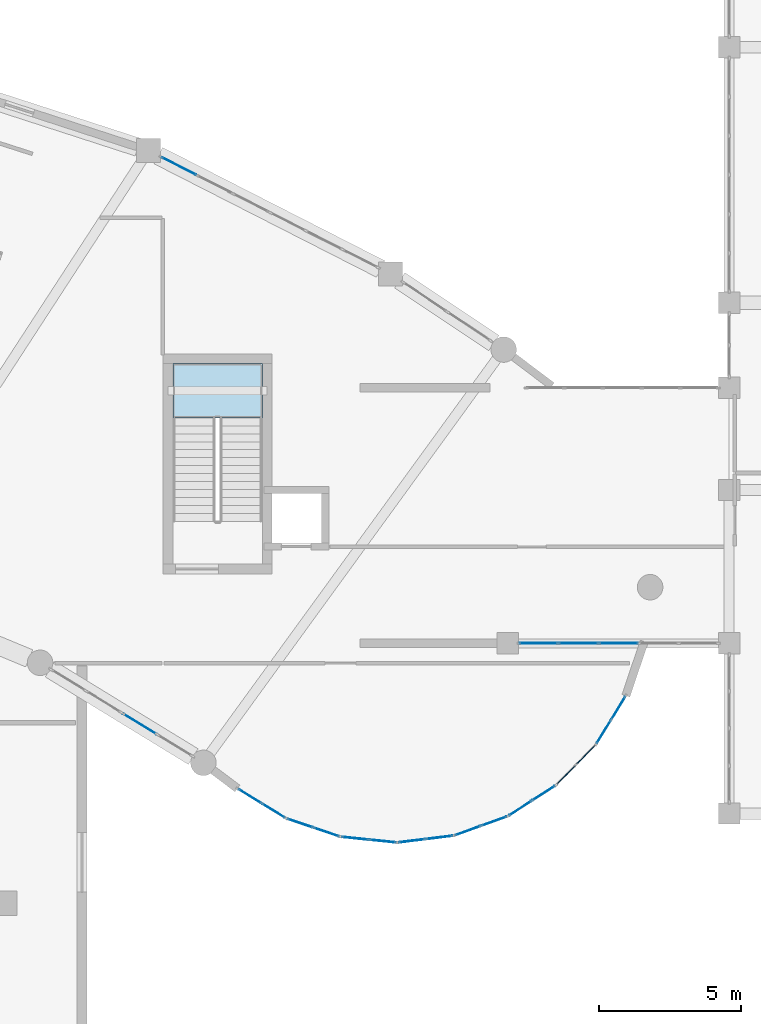
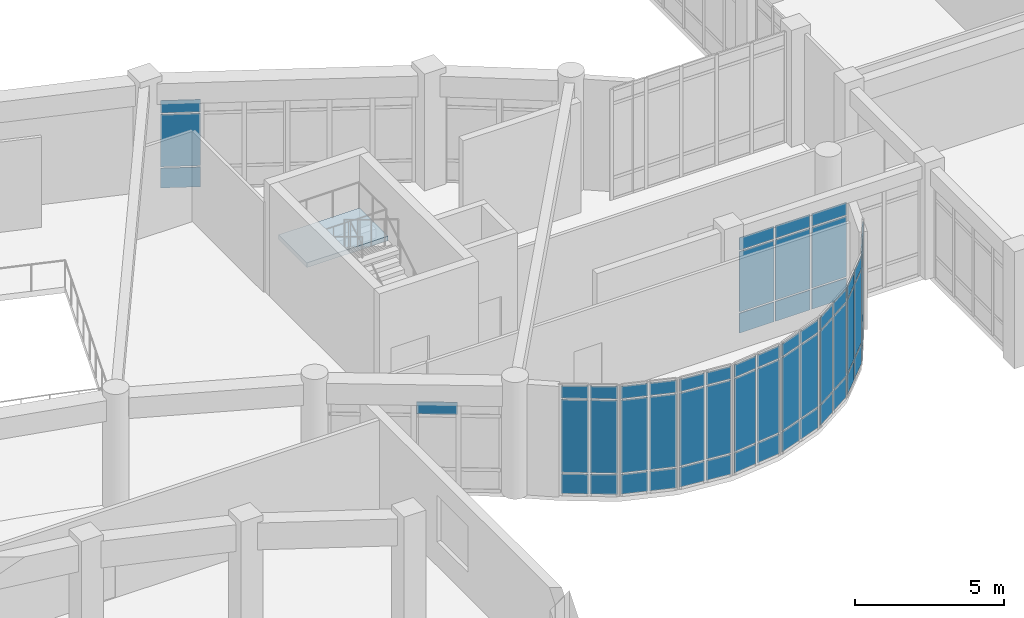
# One storey, part 42 of 68: 61 plates, 1 slab, 12 elements without a shape of their own.
"""IFC4 building model written with IfcOpenShell, lengths in metres."""

from ifc_helpers import new_model, si_unit, direction, frame, origin, origin_2d, place, context, subcontext, project, spatial, polyline, rectangle, outline, extrude, material, layer, layer_set, type_object, element, aggregate, save


model = new_model("IFC4")

# Units and contexts
model_context = context("Model", 3, precision=1e-05, world=origin(), true_north=direction((0.0, 1.0)))
body_context = subcontext(model_context, "Body", "Model", "MODEL_VIEW")
ifc_project = project(units=[si_unit("LENGTHUNIT", "METRE"), si_unit("AREAUNIT", "SQUARE_METRE"), si_unit("VOLUMEUNIT", "CUBIC_METRE"), si_unit("PLANEANGLEUNIT", "RADIAN"), si_unit("MASSUNIT", "GRAM", prefix="KILO")], contexts=[model_context])

# Site, building, storey
site_placement = place(None, origin())
site = spatial("IfcSite", under=ifc_project, at=site_placement, CompositionType="ELEMENT")
building_placement = place(site_placement, origin())
building = spatial("IfcBuilding", under=site, at=building_placement, Name="Miralva Faculty of Natural Sciences", CompositionType="ELEMENT")
storey_placement = place(building_placement, frame((0.0, 0.0, 5.39990234375)))
storey = spatial("IfcBuildingStorey", under=building, at=storey_placement, Name="L01", CompositionType="ELEMENT", Elevation=5.39990234375)

# Curtain wall, plate
ifc_material_1 = material(Name="Laminated solar-control glass", Category="glass")
ifc_layer_1 = layer(ifc_material_1, 0.179931640625, Name="CW-ARC-L01")
ifc_layer_set_1 = layer_set([ifc_layer_1], Name="Laminated solar-control glass")
curtain_wall_type_1 = type_object("IfcCurtainWallType", Name="CW-ARC-L01", PredefinedType="USERDEFINED", material=ifc_layer_set_1)
curtain_wall_1_placement = place(storey_placement, origin())
curtain_wall_1 = element("IfcCurtainWall", 1, at=curtain_wall_1_placement, inside=storey, type_object=curtain_wall_type_1, Name="Curtain wall CW-02 L01-30", ObjectType="UNITISED CURTAIN WALL", PredefinedType="USERDEFINED")
ifc_layer_2 = layer(ifc_material_1, 0.028076171875, Name="PNL-P01")
ifc_layer_set_2 = layer_set([ifc_layer_2], Name="Laminated solar-control glass")
plate_type = type_object("IfcPlateType", Name="PNL-P01", PredefinedType="CURTAIN_PANEL", material=ifc_layer_set_2)
plate_1_placement = place(storey_placement, frame((113.037353515625, 15.15869140625, 3.1376953125), z_axis=(0.0, 0.0, 1.0), x_axis=(0.852646014098, -0.522489018681, 0.0)))
plate_1 = element("IfcPlate", 2, at=plate_1_placement, type_object=plate_type, Name="CW-02 panel 1.3", PredefinedType="CURTAIN_PANEL", context=body_context, shape_type="SweptSolid", body=[
    extrude(rectangle(XDim=1.37939453125, YDim=0.028076171875, at=origin_2d()), origin(), (0.0, 0.0, 1.0), 0.50244140625),
])
aggregate(curtain_wall_1, [plate_1])

# Curtain wall, plates
curtain_wall_2_placement = place(storey_placement, origin())
curtain_wall_2 = element("IfcCurtainWall", 3, at=curtain_wall_2_placement, inside=storey, type_object=curtain_wall_type_1, Name="Curtain wall CW-02 L01-43", ObjectType="UNITISED CURTAIN WALL", PredefinedType="USERDEFINED")
plate_2_placement = place(storey_placement, frame((114.4140625, 34.811279296875, 0.06005859375), z_axis=(0.0, 0.0, 1.0), x_axis=(0.89101812581, -0.453967729556, 0.0)))
plate_2 = element("IfcPlate", 4, at=plate_2_placement, type_object=plate_type, Name="CW-02 panel 1.1", PredefinedType="CURTAIN_PANEL", context=body_context, shape_type="SweptSolid", body=[
    extrude(rectangle(XDim=1.3427734375, YDim=0.028076171875, at=origin_2d()), origin(), (0.0, 0.0, 1.0), 0.81005859375),
])
plate_3_placement = place(storey_placement, frame((114.4140625, 34.811279296875, 0.93017578125), z_axis=(0.0, 0.0, 1.0), x_axis=(0.89101812581, -0.453967729556, 0.0)))
plate_3 = element("IfcPlate", 5, at=plate_3_placement, type_object=plate_type, Name="CW-02 panel 1.2", PredefinedType="CURTAIN_PANEL", context=body_context, shape_type="SweptSolid", body=[
    extrude(rectangle(XDim=1.3427734375, YDim=0.028076171875, at=origin_2d()), origin(), (0.0, 0.0, 1.0), 2.14501953125),
])
plate_4_placement = place(storey_placement, frame((114.4140625, 34.811279296875, 3.13525390625), z_axis=(0.0, 0.0, 1.0), x_axis=(0.89101812581, -0.453967729556, 0.0)))
plate_4 = element("IfcPlate", 6, at=plate_4_placement, type_object=plate_type, Name="CW-02 panel 1.3", PredefinedType="CURTAIN_PANEL", context=body_context, shape_type="SweptSolid", body=[
    extrude(rectangle(XDim=1.3427734375, YDim=0.028076171875, at=origin_2d()), origin(), (0.0, 0.0, 1.0), 0.510009765625),
])
aggregate(curtain_wall_2, [plate_2, plate_3, plate_4])

ifc_layer_3 = layer(ifc_material_1, 0.179931640625, Name="CW-RND-L01")
ifc_layer_set_3 = layer_set([ifc_layer_3], Name="Laminated solar-control glass")
curtain_wall_type_2 = type_object("IfcCurtainWallType", Name="CW-RND-L01", PredefinedType="USERDEFINED", material=ifc_layer_set_3)
curtain_wall_3_placement = place(storey_placement, origin())
curtain_wall_3 = element("IfcCurtainWall", 7, at=curtain_wall_3_placement, inside=storey, type_object=curtain_wall_type_2, Name="Curtain wall CW-05 L01-55", ObjectType="UNITISED CURTAIN WALL", PredefinedType="USERDEFINED")
plate_5_placement = place(storey_placement, frame((129.37939453125, 14.8798828125, 0.06005859375), z_axis=(0.0, 0.0, 1.0), x_axis=(0.523550543884, 0.851994617353, 0.0)))
plate_5 = element("IfcPlate", 8, at=plate_5_placement, type_object=plate_type, Name="CW-05 panel 1.1", PredefinedType="CURTAIN_PANEL", context=body_context, shape_type="SweptSolid", body=[
    extrude(rectangle(XDim=0.91259765625, YDim=0.028076171875, at=origin_2d()), origin(), (0.0, 0.0, 1.0), 0.81005859375),
])
plate_6_placement = place(storey_placement, frame((129.37939453125, 14.8798828125, 0.93017578125), z_axis=(0.0, 0.0, 1.0), x_axis=(0.523550543884, 0.851994617353, 0.0)))
plate_6 = element("IfcPlate", 9, at=plate_6_placement, type_object=plate_type, Name="CW-05 panel 1.2", PredefinedType="CURTAIN_PANEL", context=body_context, shape_type="SweptSolid", body=[
    extrude(rectangle(XDim=0.91259765625, YDim=0.028076171875, at=origin_2d()), origin(), (0.0, 0.0, 1.0), 2.989990234375),
])
plate_7_placement = place(storey_placement, frame((129.37939453125, 14.8798828125, 3.97998046875), z_axis=(0.0, 0.0, 1.0), x_axis=(0.523550543884, 0.851994617353, 0.0)))
plate_7 = element("IfcPlate", 10, at=plate_7_placement, type_object=plate_type, Name="CW-05 panel 1.3", PredefinedType="CURTAIN_PANEL", context=body_context, shape_type="SweptSolid", body=[
    extrude(rectangle(XDim=0.91259765625, YDim=0.028076171875, at=origin_2d()), origin(), (0.0, 0.0, 1.0), 0.510009765625),
])
plate_8_placement = place(storey_placement, frame((129.891357421875, 15.712890625, 0.06005859375), z_axis=(0.0, 0.0, 1.0), x_axis=(0.523550543884, 0.851994617353, 0.0)))
plate_8 = element("IfcPlate", 11, at=plate_8_placement, type_object=plate_type, Name="CW-05 panel 2.1", PredefinedType="CURTAIN_PANEL", context=body_context, shape_type="SweptSolid", body=[
    extrude(rectangle(XDim=0.91259765625, YDim=0.028076171875, at=origin_2d()), origin(), (0.0, 0.0, 1.0), 0.81005859375),
])
plate_9_placement = place(storey_placement, frame((129.891357421875, 15.712890625, 0.93017578125), z_axis=(0.0, 0.0, 1.0), x_axis=(0.523550543884, 0.851994617353, 0.0)))
plate_9 = element("IfcPlate", 12, at=plate_9_placement, type_object=plate_type, Name="CW-05 panel 2.2", PredefinedType="CURTAIN_PANEL", context=body_context, shape_type="SweptSolid", body=[
    extrude(rectangle(XDim=0.91259765625, YDim=0.028076171875, at=origin_2d()), origin(), (0.0, 0.0, 1.0), 2.989990234375),
])
plate_10_placement = place(storey_placement, frame((129.891357421875, 15.712890625, 3.97998046875), z_axis=(0.0, 0.0, 1.0), x_axis=(0.523550543884, 0.851994617353, 0.0)))
plate_10 = element("IfcPlate", 13, at=plate_10_placement, type_object=plate_type, Name="CW-05 panel 2.3", PredefinedType="CURTAIN_PANEL", context=body_context, shape_type="SweptSolid", body=[
    extrude(rectangle(XDim=0.91259765625, YDim=0.028076171875, at=origin_2d()), origin(), (0.0, 0.0, 1.0), 0.510009765625),
])
aggregate(curtain_wall_3, [plate_5, plate_6, plate_7, plate_8, plate_9, plate_10])

curtain_wall_4_placement = place(storey_placement, origin())
curtain_wall_4 = element("IfcCurtainWall", 14, at=curtain_wall_4_placement, inside=storey, type_object=curtain_wall_type_2, Name="Curtain wall CW-05 L01-56", ObjectType="UNITISED CURTAIN WALL", PredefinedType="USERDEFINED")
plate_11_placement = place(storey_placement, frame((128.060546875, 13.36865234375, 0.06005859375), z_axis=(0.0, 0.0, 1.0), x_axis=(0.700018458929, 0.714124749017, 0.0)))
plate_11 = element("IfcPlate", 15, at=plate_11_placement, type_object=plate_type, Name="CW-05 panel 1.1", PredefinedType="CURTAIN_PANEL", context=body_context, shape_type="SweptSolid", body=[
    extrude(rectangle(XDim=0.91259765625, YDim=0.028076171875, at=origin_2d()), origin(), (0.0, 0.0, 1.0), 0.81005859375),
])
plate_12_placement = place(storey_placement, frame((128.060546875, 13.36865234375, 0.93017578125), z_axis=(0.0, 0.0, 1.0), x_axis=(0.700018458929, 0.714124749017, 0.0)))
plate_12 = element("IfcPlate", 16, at=plate_12_placement, type_object=plate_type, Name="CW-05 panel 1.2", PredefinedType="CURTAIN_PANEL", context=body_context, shape_type="SweptSolid", body=[
    extrude(rectangle(XDim=0.91259765625, YDim=0.028076171875, at=origin_2d()), origin(), (0.0, 0.0, 1.0), 2.989990234375),
])
plate_13_placement = place(storey_placement, frame((128.060546875, 13.36865234375, 3.97998046875), z_axis=(0.0, 0.0, 1.0), x_axis=(0.700018458929, 0.714124749017, 0.0)))
plate_13 = element("IfcPlate", 17, at=plate_13_placement, type_object=plate_type, Name="CW-05 panel 1.3", PredefinedType="CURTAIN_PANEL", context=body_context, shape_type="SweptSolid", body=[
    extrude(rectangle(XDim=0.91259765625, YDim=0.028076171875, at=origin_2d()), origin(), (0.0, 0.0, 1.0), 0.510009765625),
])
plate_14_placement = place(storey_placement, frame((128.7451171875, 14.06689453125, 0.06005859375), z_axis=(0.0, 0.0, 1.0), x_axis=(0.700018458929, 0.714124749017, 0.0)))
plate_14 = element("IfcPlate", 18, at=plate_14_placement, type_object=plate_type, Name="CW-05 panel 2.1", PredefinedType="CURTAIN_PANEL", context=body_context, shape_type="SweptSolid", body=[
    extrude(rectangle(XDim=0.91259765625, YDim=0.028076171875, at=origin_2d()), origin(), (0.0, 0.0, 1.0), 0.81005859375),
])
plate_15_placement = place(storey_placement, frame((128.7451171875, 14.06689453125, 0.93017578125), z_axis=(0.0, 0.0, 1.0), x_axis=(0.700018458929, 0.714124749017, 0.0)))
plate_15 = element("IfcPlate", 19, at=plate_15_placement, type_object=plate_type, Name="CW-05 panel 2.2", PredefinedType="CURTAIN_PANEL", context=body_context, shape_type="SweptSolid", body=[
    extrude(rectangle(XDim=0.91259765625, YDim=0.028076171875, at=origin_2d()), origin(), (0.0, 0.0, 1.0), 2.989990234375),
])
plate_16_placement = place(storey_placement, frame((128.7451171875, 14.06689453125, 3.97998046875), z_axis=(0.0, 0.0, 1.0), x_axis=(0.700018458929, 0.714124749017, 0.0)))
plate_16 = element("IfcPlate", 20, at=plate_16_placement, type_object=plate_type, Name="CW-05 panel 2.3", PredefinedType="CURTAIN_PANEL", context=body_context, shape_type="SweptSolid", body=[
    extrude(rectangle(XDim=0.91259765625, YDim=0.028076171875, at=origin_2d()), origin(), (0.0, 0.0, 1.0), 0.510009765625),
])
aggregate(curtain_wall_4, [plate_11, plate_12, plate_13, plate_14, plate_15, plate_16])

curtain_wall_5_placement = place(storey_placement, origin())
curtain_wall_5 = element("IfcCurtainWall", 21, at=curtain_wall_5_placement, inside=storey, type_object=curtain_wall_type_2, Name="Curtain wall CW-05 L01-57", ObjectType="UNITISED CURTAIN WALL", PredefinedType="USERDEFINED")
plate_17_placement = place(storey_placement, frame((126.438720703125, 12.18896484375, 0.06005859375), z_axis=(0.0, 0.0, 1.0), x_axis=(0.841379438185, 0.540444854725, 0.0)))
plate_17 = element("IfcPlate", 22, at=plate_17_placement, type_object=plate_type, Name="CW-05 panel 1.1", PredefinedType="CURTAIN_PANEL", context=body_context, shape_type="SweptSolid", body=[
    extrude(rectangle(XDim=0.91259765625, YDim=0.028076171875, at=origin_2d()), origin(), (0.0, 0.0, 1.0), 0.81005859375),
])
plate_18_placement = place(storey_placement, frame((126.438720703125, 12.18896484375, 0.93017578125), z_axis=(0.0, 0.0, 1.0), x_axis=(0.841379438185, 0.540444854725, 0.0)))
plate_18 = element("IfcPlate", 23, at=plate_18_placement, type_object=plate_type, Name="CW-05 panel 1.2", PredefinedType="CURTAIN_PANEL", context=body_context, shape_type="SweptSolid", body=[
    extrude(rectangle(XDim=0.91259765625, YDim=0.028076171875, at=origin_2d()), origin(), (0.0, 0.0, 1.0), 2.989990234375),
])
plate_19_placement = place(storey_placement, frame((126.438720703125, 12.18896484375, 3.97998046875), z_axis=(0.0, 0.0, 1.0), x_axis=(0.841379438185, 0.540444854725, 0.0)))
plate_19 = element("IfcPlate", 24, at=plate_19_placement, type_object=plate_type, Name="CW-05 panel 1.3", PredefinedType="CURTAIN_PANEL", context=body_context, shape_type="SweptSolid", body=[
    extrude(rectangle(XDim=0.91259765625, YDim=0.028076171875, at=origin_2d()), origin(), (0.0, 0.0, 1.0), 0.510009765625),
])
plate_20_placement = place(storey_placement, frame((127.26123046875, 12.71728515625, 0.06005859375), z_axis=(0.0, 0.0, 1.0), x_axis=(0.841379438185, 0.540444854725, 0.0)))
plate_20 = element("IfcPlate", 25, at=plate_20_placement, type_object=plate_type, Name="CW-05 panel 2.1", PredefinedType="CURTAIN_PANEL", context=body_context, shape_type="SweptSolid", body=[
    extrude(rectangle(XDim=0.91259765625, YDim=0.028076171875, at=origin_2d()), origin(), (0.0, 0.0, 1.0), 0.81005859375),
])
plate_21_placement = place(storey_placement, frame((127.26123046875, 12.71728515625, 0.93017578125), z_axis=(0.0, 0.0, 1.0), x_axis=(0.841379438185, 0.540444854725, 0.0)))
plate_21 = element("IfcPlate", 26, at=plate_21_placement, type_object=plate_type, Name="CW-05 panel 2.2", PredefinedType="CURTAIN_PANEL", context=body_context, shape_type="SweptSolid", body=[
    extrude(rectangle(XDim=0.91259765625, YDim=0.028076171875, at=origin_2d()), origin(), (0.0, 0.0, 1.0), 2.989990234375),
])
plate_22_placement = place(storey_placement, frame((127.26123046875, 12.71728515625, 3.97998046875), z_axis=(0.0, 0.0, 1.0), x_axis=(0.841379438185, 0.540444854725, 0.0)))
plate_22 = element("IfcPlate", 27, at=plate_22_placement, type_object=plate_type, Name="CW-05 panel 2.3", PredefinedType="CURTAIN_PANEL", context=body_context, shape_type="SweptSolid", body=[
    extrude(rectangle(XDim=0.91259765625, YDim=0.028076171875, at=origin_2d()), origin(), (0.0, 0.0, 1.0), 0.510009765625),
])
aggregate(curtain_wall_5, [plate_17, plate_18, plate_19, plate_20, plate_21, plate_22])

curtain_wall_6_placement = place(storey_placement, origin())
curtain_wall_6 = element("IfcCurtainWall", 28, at=curtain_wall_6_placement, inside=storey, type_object=curtain_wall_type_2, Name="Curtain wall CW-05 L01-58", ObjectType="UNITISED CURTAIN WALL", PredefinedType="USERDEFINED")
plate_23_placement = place(storey_placement, frame((124.5947265625, 11.399658203125, 0.06005859375), z_axis=(0.0, 0.0, 1.0), x_axis=(0.940535451088, 0.339695547876, 0.0)))
plate_23 = element("IfcPlate", 29, at=plate_23_placement, type_object=plate_type, Name="CW-05 panel 1.1", PredefinedType="CURTAIN_PANEL", context=body_context, shape_type="SweptSolid", body=[
    extrude(rectangle(XDim=0.91259765625, YDim=0.028076171875, at=origin_2d()), origin(), (0.0, 0.0, 1.0), 0.81005859375),
])
plate_24_placement = place(storey_placement, frame((124.5947265625, 11.399658203125, 0.93017578125), z_axis=(0.0, 0.0, 1.0), x_axis=(0.940535451088, 0.339695547876, 0.0)))
plate_24 = element("IfcPlate", 30, at=plate_24_placement, type_object=plate_type, Name="CW-05 panel 1.2", PredefinedType="CURTAIN_PANEL", context=body_context, shape_type="SweptSolid", body=[
    extrude(rectangle(XDim=0.91259765625, YDim=0.028076171875, at=origin_2d()), origin(), (0.0, 0.0, 1.0), 2.989990234375),
])
plate_25_placement = place(storey_placement, frame((124.5947265625, 11.399658203125, 3.97998046875), z_axis=(0.0, 0.0, 1.0), x_axis=(0.940535451088, 0.339695547876, 0.0)))
plate_25 = element("IfcPlate", 31, at=plate_25_placement, type_object=plate_type, Name="CW-05 panel 1.3", PredefinedType="CURTAIN_PANEL", context=body_context, shape_type="SweptSolid", body=[
    extrude(rectangle(XDim=0.91259765625, YDim=0.028076171875, at=origin_2d()), origin(), (0.0, 0.0, 1.0), 0.510009765625),
])
plate_26_placement = place(storey_placement, frame((125.514404296875, 11.731689453125, 0.06005859375), z_axis=(0.0, 0.0, 1.0), x_axis=(0.940535451088, 0.339695547876, 0.0)))
plate_26 = element("IfcPlate", 32, at=plate_26_placement, type_object=plate_type, Name="CW-05 panel 2.1", PredefinedType="CURTAIN_PANEL", context=body_context, shape_type="SweptSolid", body=[
    extrude(rectangle(XDim=0.91259765625, YDim=0.028076171875, at=origin_2d()), origin(), (0.0, 0.0, 1.0), 0.81005859375),
])
plate_27_placement = place(storey_placement, frame((125.514404296875, 11.731689453125, 0.93017578125), z_axis=(0.0, 0.0, 1.0), x_axis=(0.940535451088, 0.339695547876, 0.0)))
plate_27 = element("IfcPlate", 33, at=plate_27_placement, type_object=plate_type, Name="CW-05 panel 2.2", PredefinedType="CURTAIN_PANEL", context=body_context, shape_type="SweptSolid", body=[
    extrude(rectangle(XDim=0.91259765625, YDim=0.028076171875, at=origin_2d()), origin(), (0.0, 0.0, 1.0), 2.989990234375),
])
plate_28_placement = place(storey_placement, frame((125.514404296875, 11.731689453125, 3.97998046875), z_axis=(0.0, 0.0, 1.0), x_axis=(0.940535451088, 0.339695547876, 0.0)))
plate_28 = element("IfcPlate", 34, at=plate_28_placement, type_object=plate_type, Name="CW-05 panel 2.3", PredefinedType="CURTAIN_PANEL", context=body_context, shape_type="SweptSolid", body=[
    extrude(rectangle(XDim=0.91259765625, YDim=0.028076171875, at=origin_2d()), origin(), (0.0, 0.0, 1.0), 0.510009765625),
])
aggregate(curtain_wall_6, [plate_23, plate_24, plate_25, plate_26, plate_27, plate_28])

curtain_wall_7_placement = place(storey_placement, origin())
curtain_wall_7 = element("IfcCurtainWall", 35, at=curtain_wall_7_placement, inside=storey, type_object=curtain_wall_type_2, Name="Curtain wall CW-05 L01-59", ObjectType="UNITISED CURTAIN WALL", PredefinedType="USERDEFINED")
plate_29_placement = place(storey_placement, frame((122.62158203125, 11.04052734375, 0.06005859375), z_axis=(0.0, 0.0, 1.0), x_axis=(0.99254734183, 0.121859649701, 0.0)))
plate_29 = element("IfcPlate", 36, at=plate_29_placement, type_object=plate_type, Name="CW-05 panel 1.1", PredefinedType="CURTAIN_PANEL", context=body_context, shape_type="SweptSolid", body=[
    extrude(rectangle(XDim=0.91259765625, YDim=0.028076171875, at=origin_2d()), origin(), (0.0, 0.0, 1.0), 0.81005859375),
])
plate_30_placement = place(storey_placement, frame((122.62158203125, 11.04052734375, 0.93017578125), z_axis=(0.0, 0.0, 1.0), x_axis=(0.99254734183, 0.121859649701, 0.0)))
plate_30 = element("IfcPlate", 37, at=plate_30_placement, type_object=plate_type, Name="CW-05 panel 1.2", PredefinedType="CURTAIN_PANEL", context=body_context, shape_type="SweptSolid", body=[
    extrude(rectangle(XDim=0.91259765625, YDim=0.028076171875, at=origin_2d()), origin(), (0.0, 0.0, 1.0), 2.989990234375),
])
plate_31_placement = place(storey_placement, frame((122.62158203125, 11.04052734375, 3.97998046875), z_axis=(0.0, 0.0, 1.0), x_axis=(0.99254734183, 0.121859649701, 0.0)))
plate_31 = element("IfcPlate", 38, at=plate_31_placement, type_object=plate_type, Name="CW-05 panel 1.3", PredefinedType="CURTAIN_PANEL", context=body_context, shape_type="SweptSolid", body=[
    extrude(rectangle(XDim=0.91259765625, YDim=0.028076171875, at=origin_2d()), origin(), (0.0, 0.0, 1.0), 0.510009765625),
])
plate_32_placement = place(storey_placement, frame((123.592041015625, 11.15966796875, 0.06005859375), z_axis=(0.0, 0.0, 1.0), x_axis=(0.99254734183, 0.121859649701, 0.0)))
plate_32 = element("IfcPlate", 39, at=plate_32_placement, type_object=plate_type, Name="CW-05 panel 2.1", PredefinedType="CURTAIN_PANEL", context=body_context, shape_type="SweptSolid", body=[
    extrude(rectangle(XDim=0.91259765625, YDim=0.028076171875, at=origin_2d()), origin(), (0.0, 0.0, 1.0), 0.81005859375),
])
plate_33_placement = place(storey_placement, frame((123.592041015625, 11.15966796875, 0.93017578125), z_axis=(0.0, 0.0, 1.0), x_axis=(0.99254734183, 0.121859649701, 0.0)))
plate_33 = element("IfcPlate", 40, at=plate_33_placement, type_object=plate_type, Name="CW-05 panel 2.2", PredefinedType="CURTAIN_PANEL", context=body_context, shape_type="SweptSolid", body=[
    extrude(rectangle(XDim=0.91259765625, YDim=0.028076171875, at=origin_2d()), origin(), (0.0, 0.0, 1.0), 2.989990234375),
])
plate_34_placement = place(storey_placement, frame((123.592041015625, 11.15966796875, 3.97998046875), z_axis=(0.0, 0.0, 1.0), x_axis=(0.99254734183, 0.121859649701, 0.0)))
plate_34 = element("IfcPlate", 41, at=plate_34_placement, type_object=plate_type, Name="CW-05 panel 2.3", PredefinedType="CURTAIN_PANEL", context=body_context, shape_type="SweptSolid", body=[
    extrude(rectangle(XDim=0.91259765625, YDim=0.028076171875, at=origin_2d()), origin(), (0.0, 0.0, 1.0), 0.510009765625),
])
aggregate(curtain_wall_7, [plate_29, plate_30, plate_31, plate_32, plate_33, plate_34])

curtain_wall_8_placement = place(storey_placement, origin())
curtain_wall_8 = element("IfcCurtainWall", 42, at=curtain_wall_8_placement, inside=storey, type_object=curtain_wall_type_2, Name="Curtain wall CW-05 L01-60", ObjectType="UNITISED CURTAIN WALL", PredefinedType="USERDEFINED")
plate_35_placement = place(storey_placement, frame((120.617919921875, 11.12939453125, 0.06005859375), z_axis=(0.0, 0.0, 1.0), x_axis=(0.994778604482, -0.102056494477, 0.0)))
plate_35 = element("IfcPlate", 43, at=plate_35_placement, type_object=plate_type, Name="CW-05 panel 1.1", PredefinedType="CURTAIN_PANEL", context=body_context, shape_type="SweptSolid", body=[
    extrude(rectangle(XDim=0.912841796875, YDim=0.028076171875, at=origin_2d()), origin(), (0.0, 0.0, 1.0), 0.81005859375),
])
plate_36_placement = place(storey_placement, frame((120.617919921875, 11.12939453125, 0.93017578125), z_axis=(0.0, 0.0, 1.0), x_axis=(0.994778604482, -0.102056494477, 0.0)))
plate_36 = element("IfcPlate", 44, at=plate_36_placement, type_object=plate_type, Name="CW-05 panel 1.2", PredefinedType="CURTAIN_PANEL", context=body_context, shape_type="SweptSolid", body=[
    extrude(rectangle(XDim=0.912841796875, YDim=0.028076171875, at=origin_2d()), origin(), (0.0, 0.0, 1.0), 2.989990234375),
])
plate_37_placement = place(storey_placement, frame((120.617919921875, 11.12939453125, 3.97998046875), z_axis=(0.0, 0.0, 1.0), x_axis=(0.994778604482, -0.102056494477, 0.0)))
plate_37 = element("IfcPlate", 45, at=plate_37_placement, type_object=plate_type, Name="CW-05 panel 1.3", PredefinedType="CURTAIN_PANEL", context=body_context, shape_type="SweptSolid", body=[
    extrude(rectangle(XDim=0.912841796875, YDim=0.028076171875, at=origin_2d()), origin(), (0.0, 0.0, 1.0), 0.510009765625),
])
plate_38_placement = place(storey_placement, frame((121.590576171875, 11.02978515625, 0.06005859375), z_axis=(0.0, 0.0, 1.0), x_axis=(0.994778604482, -0.102056494477, 0.0)))
plate_38 = element("IfcPlate", 46, at=plate_38_placement, type_object=plate_type, Name="CW-05 panel 2.1", PredefinedType="CURTAIN_PANEL", context=body_context, shape_type="SweptSolid", body=[
    extrude(rectangle(XDim=0.912841796875, YDim=0.028076171875, at=origin_2d()), origin(), (0.0, 0.0, 1.0), 0.81005859375),
])
plate_39_placement = place(storey_placement, frame((121.590576171875, 11.02978515625, 0.93017578125), z_axis=(0.0, 0.0, 1.0), x_axis=(0.994778604482, -0.102056494477, 0.0)))
plate_39 = element("IfcPlate", 47, at=plate_39_placement, type_object=plate_type, Name="CW-05 panel 2.2", PredefinedType="CURTAIN_PANEL", context=body_context, shape_type="SweptSolid", body=[
    extrude(rectangle(XDim=0.912841796875, YDim=0.028076171875, at=origin_2d()), origin(), (0.0, 0.0, 1.0), 2.989990234375),
])
plate_40_placement = place(storey_placement, frame((121.590576171875, 11.02978515625, 3.97998046875), z_axis=(0.0, 0.0, 1.0), x_axis=(0.994778604482, -0.102056494477, 0.0)))
plate_40 = element("IfcPlate", 48, at=plate_40_placement, type_object=plate_type, Name="CW-05 panel 2.3", PredefinedType="CURTAIN_PANEL", context=body_context, shape_type="SweptSolid", body=[
    extrude(rectangle(XDim=0.912841796875, YDim=0.028076171875, at=origin_2d()), origin(), (0.0, 0.0, 1.0), 0.510009765625),
])
aggregate(curtain_wall_8, [plate_35, plate_36, plate_37, plate_38, plate_39, plate_40])

curtain_wall_9_placement = place(storey_placement, origin())
curtain_wall_9 = element("IfcCurtainWall", 49, at=curtain_wall_9_placement, inside=storey, type_object=curtain_wall_type_2, Name="Curtain wall CW-05 L01-61", ObjectType="UNITISED CURTAIN WALL", PredefinedType="USERDEFINED")
plate_41_placement = place(storey_placement, frame((118.684326171875, 11.662109375, 0.06005859375), z_axis=(0.0, 0.0, 1.0), x_axis=(0.947132688672, -0.320842126361, 0.0)))
plate_41 = element("IfcPlate", 50, at=plate_41_placement, type_object=plate_type, Name="CW-05 panel 1.1", PredefinedType="CURTAIN_PANEL", context=body_context, shape_type="SweptSolid", body=[
    extrude(rectangle(XDim=0.91259765625, YDim=0.028076171875, at=origin_2d()), origin(), (0.0, 0.0, 1.0), 0.81005859375),
])
plate_42_placement = place(storey_placement, frame((118.684326171875, 11.662109375, 0.93017578125), z_axis=(0.0, 0.0, 1.0), x_axis=(0.947132688672, -0.320842126361, 0.0)))
plate_42 = element("IfcPlate", 51, at=plate_42_placement, type_object=plate_type, Name="CW-05 panel 1.2", PredefinedType="CURTAIN_PANEL", context=body_context, shape_type="SweptSolid", body=[
    extrude(rectangle(XDim=0.91259765625, YDim=0.028076171875, at=origin_2d()), origin(), (0.0, 0.0, 1.0), 2.989990234375),
])
plate_43_placement = place(storey_placement, frame((118.684326171875, 11.662109375, 3.97998046875), z_axis=(0.0, 0.0, 1.0), x_axis=(0.947132688672, -0.320842126361, 0.0)))
plate_43 = element("IfcPlate", 52, at=plate_43_placement, type_object=plate_type, Name="CW-05 panel 1.3", PredefinedType="CURTAIN_PANEL", context=body_context, shape_type="SweptSolid", body=[
    extrude(rectangle(XDim=0.91259765625, YDim=0.028076171875, at=origin_2d()), origin(), (0.0, 0.0, 1.0), 0.510009765625),
])
plate_44_placement = place(storey_placement, frame((119.6103515625, 11.348388671875, 0.06005859375), z_axis=(0.0, 0.0, 1.0), x_axis=(0.947132688672, -0.320842126361, 0.0)))
plate_44 = element("IfcPlate", 53, at=plate_44_placement, type_object=plate_type, Name="CW-05 panel 2.1", PredefinedType="CURTAIN_PANEL", context=body_context, shape_type="SweptSolid", body=[
    extrude(rectangle(XDim=0.91259765625, YDim=0.028076171875, at=origin_2d()), origin(), (0.0, 0.0, 1.0), 0.81005859375),
])
plate_45_placement = place(storey_placement, frame((119.6103515625, 11.348388671875, 0.93017578125), z_axis=(0.0, 0.0, 1.0), x_axis=(0.947132688672, -0.320842126361, 0.0)))
plate_45 = element("IfcPlate", 54, at=plate_45_placement, type_object=plate_type, Name="CW-05 panel 2.2", PredefinedType="CURTAIN_PANEL", context=body_context, shape_type="SweptSolid", body=[
    extrude(rectangle(XDim=0.91259765625, YDim=0.028076171875, at=origin_2d()), origin(), (0.0, 0.0, 1.0), 2.989990234375),
])
plate_46_placement = place(storey_placement, frame((119.6103515625, 11.348388671875, 3.97998046875), z_axis=(0.0, 0.0, 1.0), x_axis=(0.947132688672, -0.320842126361, 0.0)))
plate_46 = element("IfcPlate", 55, at=plate_46_placement, type_object=plate_type, Name="CW-05 panel 2.3", PredefinedType="CURTAIN_PANEL", context=body_context, shape_type="SweptSolid", body=[
    extrude(rectangle(XDim=0.91259765625, YDim=0.028076171875, at=origin_2d()), origin(), (0.0, 0.0, 1.0), 0.510009765625),
])
aggregate(curtain_wall_9, [plate_41, plate_42, plate_43, plate_44, plate_45, plate_46])

curtain_wall_10_placement = place(storey_placement, origin())
curtain_wall_10 = element("IfcCurtainWall", 56, at=curtain_wall_10_placement, inside=storey, type_object=curtain_wall_type_2, Name="Curtain wall CW-05 L01-62", ObjectType="UNITISED CURTAIN WALL", PredefinedType="USERDEFINED")
plate_47_placement = place(storey_placement, frame((116.914306640625, 12.613525390625, 0.06005859375), z_axis=(0.0, 0.0, 1.0), x_axis=(0.852003943693, -0.523535366458, 0.0)))
plate_47 = element("IfcPlate", 57, at=plate_47_placement, type_object=plate_type, Name="CW-05 panel 1.1", PredefinedType="CURTAIN_PANEL", context=body_context, shape_type="SweptSolid", body=[
    extrude(rectangle(XDim=0.915283203125, YDim=0.028076171875, at=origin_2d()), origin(), (0.0, 0.0, 1.0), 0.81005859375),
])
plate_48_placement = place(storey_placement, frame((116.914306640625, 12.613525390625, 0.93017578125), z_axis=(0.0, 0.0, 1.0), x_axis=(0.852003943693, -0.523535366458, 0.0)))
plate_48 = element("IfcPlate", 58, at=plate_48_placement, type_object=plate_type, Name="CW-05 panel 1.2", PredefinedType="CURTAIN_PANEL", context=body_context, shape_type="SweptSolid", body=[
    extrude(rectangle(XDim=0.915283203125, YDim=0.028076171875, at=origin_2d()), origin(), (0.0, 0.0, 1.0), 2.989990234375),
])
plate_49_placement = place(storey_placement, frame((116.914306640625, 12.613525390625, 3.97998046875), z_axis=(0.0, 0.0, 1.0), x_axis=(0.852003943693, -0.523535366458, 0.0)))
plate_49 = element("IfcPlate", 59, at=plate_49_placement, type_object=plate_type, Name="CW-05 panel 1.3", PredefinedType="CURTAIN_PANEL", context=body_context, shape_type="SweptSolid", body=[
    extrude(rectangle(XDim=0.915283203125, YDim=0.028076171875, at=origin_2d()), origin(), (0.0, 0.0, 1.0), 0.510009765625),
])
plate_50_placement = place(storey_placement, frame((117.74951171875, 12.100341796875, 0.06005859375), z_axis=(0.0, 0.0, 1.0), x_axis=(0.852003943693, -0.523535366458, 0.0)))
plate_50 = element("IfcPlate", 60, at=plate_50_placement, type_object=plate_type, Name="CW-05 panel 2.1", PredefinedType="CURTAIN_PANEL", context=body_context, shape_type="SweptSolid", body=[
    extrude(rectangle(XDim=0.915283203125, YDim=0.028076171875, at=origin_2d()), origin(), (0.0, 0.0, 1.0), 0.81005859375),
])
plate_51_placement = place(storey_placement, frame((117.74951171875, 12.100341796875, 0.93017578125), z_axis=(0.0, 0.0, 1.0), x_axis=(0.852003943693, -0.523535366458, 0.0)))
plate_51 = element("IfcPlate", 61, at=plate_51_placement, type_object=plate_type, Name="CW-05 panel 2.2", PredefinedType="CURTAIN_PANEL", context=body_context, shape_type="SweptSolid", body=[
    extrude(rectangle(XDim=0.915283203125, YDim=0.028076171875, at=origin_2d()), origin(), (0.0, 0.0, 1.0), 2.989990234375),
])
plate_52_placement = place(storey_placement, frame((117.74951171875, 12.100341796875, 3.97998046875), z_axis=(0.0, 0.0, 1.0), x_axis=(0.852003943693, -0.523535366458, 0.0)))
plate_52 = element("IfcPlate", 62, at=plate_52_placement, type_object=plate_type, Name="CW-05 panel 2.3", PredefinedType="CURTAIN_PANEL", context=body_context, shape_type="SweptSolid", body=[
    extrude(rectangle(XDim=0.915283203125, YDim=0.028076171875, at=origin_2d()), origin(), (0.0, 0.0, 1.0), 0.510009765625),
])
aggregate(curtain_wall_10, [plate_47, plate_48, plate_49, plate_50, plate_51, plate_52])

ifc_layer_4 = layer(ifc_material_1, 0.179931640625, Name="CW-COM-L01")
ifc_layer_set_4 = layer_set([ifc_layer_4], Name="Laminated solar-control glass")
curtain_wall_type_3 = type_object("IfcCurtainWallType", Name="CW-COM-L01", PredefinedType="USERDEFINED", material=ifc_layer_set_4)
curtain_wall_11_placement = place(storey_placement, origin())
curtain_wall_11 = element("IfcCurtainWall", 63, at=curtain_wall_11_placement, inside=storey, type_object=curtain_wall_type_3, Name="Curtain wall CW-10 L01-290", ObjectType="UNITISED CURTAIN WALL", PredefinedType="USERDEFINED")
plate_53_placement = place(storey_placement, frame((127.087890625, 18.0, 0.06005859375), z_axis=(0.0, 0.0, 1.0), x_axis=(1.0, 0.0, 0.0)))
plate_53 = element("IfcPlate", 64, at=plate_53_placement, type_object=plate_type, Name="CW-10 panel 1.1", PredefinedType="CURTAIN_PANEL", context=body_context, shape_type="SweptSolid", body=[
    extrude(rectangle(XDim=1.325927734375, YDim=0.028076171875, at=origin_2d()), origin(), (0.0, 0.0, 1.0), 0.81005859375),
])
plate_54_placement = place(storey_placement, frame((127.087890625, 18.0, 0.929931640625), z_axis=(0.0, 0.0, 1.0), x_axis=(1.0, 0.0, 0.0)))
plate_54 = element("IfcPlate", 65, at=plate_54_placement, type_object=plate_type, Name="CW-10 panel 1.2", PredefinedType="CURTAIN_PANEL", context=body_context, shape_type="SweptSolid", body=[
    extrude(rectangle(XDim=1.325927734375, YDim=0.028076171875, at=origin_2d()), origin(), (0.0, 0.0, 1.0), 2.47509765625),
])
plate_55_placement = place(storey_placement, frame((127.087890625, 18.0, 3.46533203125), z_axis=(0.0, 0.0, 1.0), x_axis=(1.0, 0.0, 0.0)))
plate_55 = element("IfcPlate", 66, at=plate_55_placement, type_object=plate_type, Name="CW-10 panel 1.3", PredefinedType="CURTAIN_PANEL", context=body_context, shape_type="SweptSolid", body=[
    extrude(rectangle(XDim=1.325927734375, YDim=0.028076171875, at=origin_2d()), origin(), (0.0, 0.0, 1.0), 0.510009765625),
])
plate_56_placement = place(storey_placement, frame((128.489013671875, 18.0, 0.06005859375), z_axis=(0.0, 0.0, 1.0), x_axis=(1.0, 0.0, 0.0)))
plate_56 = element("IfcPlate", 67, at=plate_56_placement, type_object=plate_type, Name="CW-10 panel 2.1", PredefinedType="CURTAIN_PANEL", context=body_context, shape_type="SweptSolid", body=[
    extrude(rectangle(XDim=1.35595703125, YDim=0.028076171875, at=origin_2d()), origin(), (0.0, 0.0, 1.0), 0.81005859375),
])
plate_57_placement = place(storey_placement, frame((128.489013671875, 18.0, 0.929931640625), z_axis=(0.0, 0.0, 1.0), x_axis=(1.0, 0.0, 0.0)))
plate_57 = element("IfcPlate", 68, at=plate_57_placement, type_object=plate_type, Name="CW-10 panel 2.2", PredefinedType="CURTAIN_PANEL", context=body_context, shape_type="SweptSolid", body=[
    extrude(rectangle(XDim=1.35595703125, YDim=0.028076171875, at=origin_2d()), origin(), (0.0, 0.0, 1.0), 2.47509765625),
])
plate_58_placement = place(storey_placement, frame((128.489013671875, 18.0, 3.46533203125), z_axis=(0.0, 0.0, 1.0), x_axis=(1.0, 0.0, 0.0)))
plate_58 = element("IfcPlate", 69, at=plate_58_placement, type_object=plate_type, Name="CW-10 panel 2.3", PredefinedType="CURTAIN_PANEL", context=body_context, shape_type="SweptSolid", body=[
    extrude(rectangle(XDim=1.35595703125, YDim=0.028076171875, at=origin_2d()), origin(), (0.0, 0.0, 1.0), 0.510009765625),
])
plate_59_placement = place(storey_placement, frame((129.905029296875, 18.0, 0.06005859375), z_axis=(0.0, 0.0, 1.0), x_axis=(1.0, 0.0, 0.0)))
plate_59 = element("IfcPlate", 70, at=plate_59_placement, type_object=plate_type, Name="CW-10 panel 3.1", PredefinedType="CURTAIN_PANEL", context=body_context, shape_type="SweptSolid", body=[
    extrude(rectangle(XDim=1.35595703125, YDim=0.028076171875, at=origin_2d()), origin(), (0.0, 0.0, 1.0), 0.81005859375),
])
plate_60_placement = place(storey_placement, frame((129.905029296875, 18.0, 0.929931640625), z_axis=(0.0, 0.0, 1.0), x_axis=(1.0, 0.0, 0.0)))
plate_60 = element("IfcPlate", 71, at=plate_60_placement, type_object=plate_type, Name="CW-10 panel 3.2", PredefinedType="CURTAIN_PANEL", context=body_context, shape_type="SweptSolid", body=[
    extrude(rectangle(XDim=1.35595703125, YDim=0.028076171875, at=origin_2d()), origin(), (0.0, 0.0, 1.0), 2.47509765625),
])
plate_61_placement = place(storey_placement, frame((129.905029296875, 18.0, 3.46533203125), z_axis=(0.0, 0.0, 1.0), x_axis=(1.0, 0.0, 0.0)))
plate_61 = element("IfcPlate", 72, at=plate_61_placement, type_object=plate_type, Name="CW-10 panel 3.3", PredefinedType="CURTAIN_PANEL", context=body_context, shape_type="SweptSolid", body=[
    extrude(rectangle(XDim=1.35595703125, YDim=0.028076171875, at=origin_2d()), origin(), (0.0, 0.0, 1.0), 0.510009765625),
])
aggregate(curtain_wall_11, [plate_53, plate_54, plate_55, plate_56, plate_57, plate_58, plate_59, plate_60, plate_61])

# Stair, slab
ifc_material_2 = material(Name="Concrete C40/50", Category="concrete")
stair_type = type_object("IfcStairType", Name="ST-CORE-480", PredefinedType="HALF_TURN_STAIR", material=ifc_material_2)
stair_placement = place(storey_placement, origin())
stair = element("IfcStair", 73, at=stair_placement, inside=storey, type_object=stair_type, Name="Exit Stair Core C3 (ST-02) L01", PredefinedType="HALF_TURN_STAIR")
ifc_layer_5 = layer(ifc_material_2, 0.18994140625, Name="SL-LD01")
ifc_layer_set_5 = layer_set([ifc_layer_5], Name="Concrete C40/50")
slab_type = type_object("IfcSlabType", Name="SL-LD01", PredefinedType="LANDING", material=ifc_layer_set_5)
slab_placement = place(storey_placement, frame((0.0, 0.0, 2.210205078125)))
slab = element("IfcSlab", 74, at=slab_placement, type_object=slab_type, Name="ST-02 landing 1", PredefinedType="LANDING", context=body_context, shape_type="SweptSolid", body=[
    extrude(outline(polyline([(117.35009765625, 25.93994140625), (117.35009765625, 27.85009765625), (114.199951171875, 27.85009765625), (114.199951171875, 25.93994140625), (117.35009765625, 25.93994140625)])), origin(), (0.0, 0.0, 1.0), 0.18994140625),
])
aggregate(stair, [slab])

save(model, "model.ifc")
